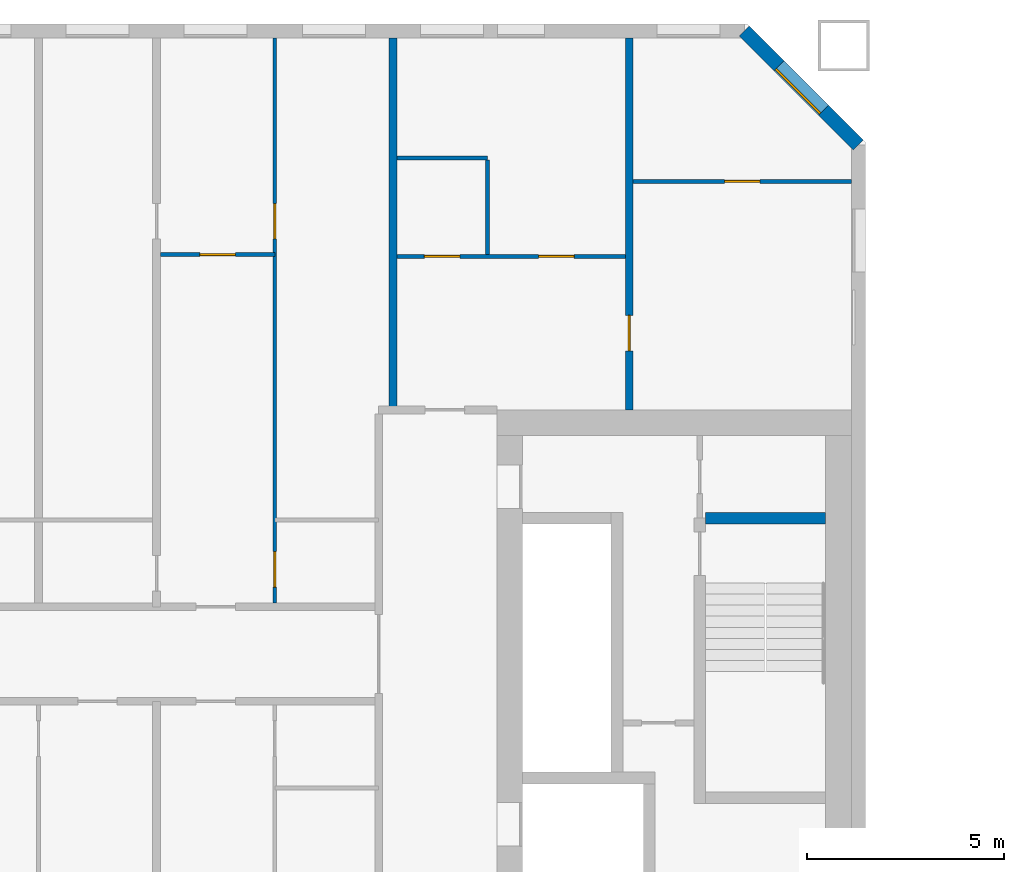
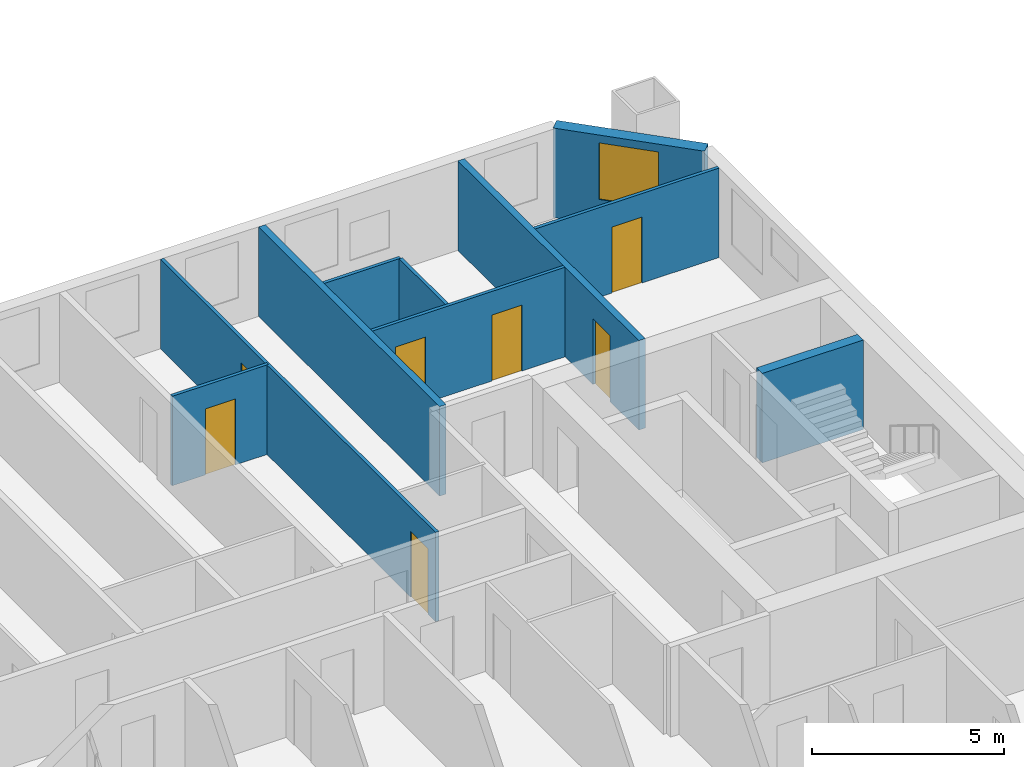
# One storey, part 8 of 17: 10 walls, 7 doors, 1 window, 8 openings.
"""IFC4 building model written with IfcOpenShell, lengths in metres."""

from ifc_helpers import new_model, si_unit, direction, frame, frame_2d, origin, place, context, subcontext, project, spatial, rectangle, extrude, material, layer, layer_set, type_object, element, fill, save


model = new_model("IFC4")

# Units and contexts
model_context = context("Model", 3, precision=1e-05, world=origin(), true_north=direction((0.0, 1.0)))
body_context = subcontext(model_context, "Body", "Model", "MODEL_VIEW")
ifc_project = project(units=[si_unit("LENGTHUNIT", "METRE"), si_unit("AREAUNIT", "SQUARE_METRE"), si_unit("VOLUMEUNIT", "CUBIC_METRE"), si_unit("PLANEANGLEUNIT", "RADIAN"), si_unit("MASSUNIT", "GRAM", prefix="KILO")], contexts=[model_context])

# Site, building, storey
site_placement = place(None, origin())
site = spatial("IfcSite", under=ifc_project, at=site_placement, CompositionType="ELEMENT")
building_placement = place(site_placement, origin())
building = spatial("IfcBuilding", under=site, at=building_placement, Name="Tuart Gate Housing", CompositionType="ELEMENT")
storey_placement = place(building_placement, frame((0.0, 0.0, 99.5)))
storey = spatial("IfcBuildingStorey", under=building, at=storey_placement, Name="L27", CompositionType="ELEMENT", Elevation=99.5)

# Wall, opening, window
ifc_material_1 = material(Name="Brick", Category="masonry")
ifc_layer_1 = layer(ifc_material_1, 0.360107421875)
ifc_layer_set_1 = layer_set([ifc_layer_1], Name="Brick pier and spandrel wall 360")
wall_type_1 = type_object("IfcWallType", Name="Brick pier and spandrel wall 360", PredefinedType="STANDARD", material=ifc_layer_set_1)
wall_1_placement = place(storey_placement, frame((75.820068359375, 82.92529296875, 0.0), z_axis=(0.0, 0.0, 1.0), x_axis=(-0.707106781187, 0.707106781187, 0.0)))
wall_1 = element("IfcWall", 1, at=wall_1_placement, inside=storey, type_object=wall_type_1, Name="External wall A-NE L27", PredefinedType="STANDARD", context=body_context, shape_type="SweptSolid", body=[
    extrude(rectangle(XDim=4.09375, YDim=0.360107421875, at=frame_2d((2.046875, 0.0))), origin(), (0.0, 0.0, 1.0), 2.85009765625),
])
opening_1_placement = place(wall_1_placement, frame((1.2470703125, 0.0, 0.800048828125)))
opening_1 = element("IfcOpeningElement", 2, at=opening_1_placement, cuts=wall_1, Name="Opening W1", PredefinedType="OPENING", context=body_context, shape_type="SweptSolid", body=[
    extrude(rectangle(XDim=1.60009765625, YDim=1.800048828125, at=frame_2d((0.800048828125, 0.89990234375))), frame((0.0, 0.18994140625, 0.0), z_axis=(0.0, -1.0, 0.0), x_axis=(1.0, 0.0, 0.0)), (0.0, 0.0, 1.0), 0.380126953125),
])
ifc_material_2 = material(Name="Aluminium frame with clear glass", Category="aluminium")
window_type = type_object("IfcWindowType", Name="Punched window 1600 x 1800", PartitioningType="SINGLE_PANEL", PredefinedType="WINDOW", material=ifc_material_2)
window_placement = place(opening_1_placement, origin())
window = element("IfcWindow", 3, at=window_placement, inside=storey, type_object=window_type, Name="Window W1", OverallHeight=1.800048828125, OverallWidth=1.60009765625, PartitioningType="SINGLE_PANEL", PredefinedType="WINDOW", context=body_context, shape_type="SweptSolid", body=[
    extrude(rectangle(XDim=1.60009765625, YDim=1.800048828125, at=frame_2d((0.800048828125, 0.89990234375))), frame((0.0, 0.150146484375, 0.0), z_axis=(0.0, -1.0, 0.0), x_axis=(1.0, 0.0, 0.0)), (0.0, 0.0, 1.0), 0.06005859375),
])
fill(opening_1, window)

# Wall
ifc_material_3 = material(Name="Concrete C50", Category="concrete")
ifc_layer_2 = layer(ifc_material_3, 0.300048828125)
ifc_layer_set_2 = layer_set([ifc_layer_2], Name="Core wall 300 C50")
wall_type_2 = type_object("IfcWallType", Name="Core wall 300 C50", PredefinedType="SHEAR", material=ifc_layer_set_2)
wall_2_placement = place(storey_placement, frame((71.93994140625, 73.449951171875, 0.0), z_axis=(0.0, 0.0, 1.0), x_axis=(1.0, 0.0, 0.0)))
element("IfcWall", 4, at=wall_2_placement, inside=storey, type_object=wall_type_2, Name="Core wall AG.5", PredefinedType="SHEAR", context=body_context, shape_type="SweptSolid", body=[
    extrude(rectangle(XDim=3.050048828125, YDim=0.300048828125, at=frame_2d((1.52490234375, 0.0))), origin(), (0.0, 0.0, 1.0), 2.85009765625),
])

# Wall, openings, doors
ifc_material_4 = material(Name="Gypsum board on steel studs", Category="steel")
ifc_layer_3 = layer(ifc_material_4, 0.10009765625)
ifc_layer_set_3 = layer_set([ifc_layer_3], Name="Partition 100")
wall_type_3 = type_object("IfcWallType", Name="Partition 100", PredefinedType="PARTITIONING", material=ifc_layer_set_3)
wall_3_placement = place(storey_placement, frame((64.10009765625, 80.10009765625, 0.0), z_axis=(0.0, 0.0, 1.0), x_axis=(1.0, 0.0, 0.0)))
wall_3 = element("IfcWall", 5, at=wall_3_placement, inside=storey, type_object=wall_type_3, Name="Partition 100", PredefinedType="PARTITIONING", context=body_context, shape_type="SweptSolid", body=[
    extrude(rectangle(XDim=5.7998046875, YDim=0.10009765625, at=frame_2d((2.89990234375, 0.0))), origin(), (0.0, 0.0, 1.0), 2.85009765625),
])
opening_2_placement = place(wall_3_placement, frame((3.60009765625, 0.0, 0.0)))
opening_2 = element("IfcOpeningElement", 6, at=opening_2_placement, cuts=wall_3, Name="Opening D1073", PredefinedType="OPENING", context=body_context, shape_type="SweptSolid", body=[
    extrude(rectangle(XDim=0.89990234375, YDim=2.10009765625, at=frame_2d((0.449951171875, 1.050048828125))), frame((0.0, 0.06005859375, 0.0), z_axis=(0.0, -1.0, 0.0), x_axis=(1.0, 0.0, 0.0)), (0.0, 0.0, 1.0), 0.1201171875),
])
opening_3_placement = place(wall_3_placement, frame((0.699951171875, 0.0, 0.0)))
opening_3 = element("IfcOpeningElement", 7, at=opening_3_placement, cuts=wall_3, Name="Opening D1072", PredefinedType="OPENING", context=body_context, shape_type="SweptSolid", body=[
    extrude(rectangle(XDim=0.89990234375, YDim=2.10009765625, at=frame_2d((0.449951171875, 1.050048828125))), frame((0.0, 0.06005859375, 0.0), z_axis=(0.0, -1.0, 0.0), x_axis=(1.0, 0.0, 0.0)), (0.0, 0.0, 1.0), 0.1201171875),
])
ifc_material_5 = material(Name="Timber door leaf in steel frame", Category="steel")
door_type_1 = type_object("IfcDoorType", Name="Bathroom door 900 RH", OperationType="SINGLE_SWING_RIGHT", PredefinedType="DOOR", material=ifc_material_5)
door_1_placement = place(opening_3_placement, origin())
door_1 = element("IfcDoor", 8, at=door_1_placement, inside=storey, type_object=door_type_1, Name="Bathroom door", OperationType="SINGLE_SWING_RIGHT", OverallHeight=2.10009765625, OverallWidth=0.89990234375, PredefinedType="DOOR", context=body_context, shape_type="SweptSolid", body=[
    extrude(rectangle(XDim=0.89990234375, YDim=2.10009765625, at=frame_2d((0.449951171875, 1.050048828125))), frame((0.0, 0.02490234375, 0.0), z_axis=(0.0, -1.0, 0.0), x_axis=(1.0, 0.0, 0.0)), (0.0, 0.0, 1.0), 0.050048828125),
])
fill(opening_3, door_1)
ifc_material_6 = material(Name="Timber door leaf in steel frame", Category="steel")
door_type_2 = type_object("IfcDoorType", Name="Internal door 900", OperationType="SINGLE_SWING_LEFT", PredefinedType="DOOR", material=ifc_material_6)
door_2_placement = place(opening_2_placement, origin())
door_2 = element("IfcDoor", 9, at=door_2_placement, inside=storey, type_object=door_type_2, Name="Internal door", OperationType="SINGLE_SWING_LEFT", OverallHeight=2.10009765625, OverallWidth=0.89990234375, PredefinedType="DOOR", context=body_context, shape_type="SweptSolid", body=[
    extrude(rectangle(XDim=0.89990234375, YDim=2.10009765625, at=frame_2d((0.449951171875, 1.050048828125))), frame((0.0, 0.02490234375, 0.0), z_axis=(0.0, -1.0, 0.0), x_axis=(1.0, 0.0, 0.0)), (0.0, 0.0, 1.0), 0.050048828125),
])
fill(opening_2, door_2)

# Wall, opening, door
wall_4_placement = place(storey_placement, frame((58.10009765625, 80.139892578125, 0.0), z_axis=(0.0, 0.0, 1.0), x_axis=(1.0, 0.0, 0.0)))
wall_4 = element("IfcWall", 10, at=wall_4_placement, inside=storey, type_object=wall_type_3, Name="Partition 100", PredefinedType="PARTITIONING", context=body_context, shape_type="SweptSolid", body=[
    extrude(rectangle(XDim=2.89990234375, YDim=0.10009765625, at=frame_2d((1.449951171875, 0.0))), origin(), (0.0, 0.0, 1.0), 2.85009765625),
])
opening_4_placement = place(wall_4_placement, frame((1.0, 0.0, 0.0)))
opening_4 = element("IfcOpeningElement", 11, at=opening_4_placement, cuts=wall_4, Name="Opening D1068", PredefinedType="OPENING", context=body_context, shape_type="SweptSolid", body=[
    extrude(rectangle(XDim=0.89990234375, YDim=2.10009765625, at=frame_2d((0.449951171875, 1.050048828125))), frame((0.0, 0.06005859375, 0.0), z_axis=(0.0, -1.0, 0.0), x_axis=(1.0, 0.0, 0.0)), (0.0, 0.0, 1.0), 0.1201171875),
])
door_3_placement = place(opening_4_placement, frame((0.89990234375, 0.0, 0.0), z_axis=(0.0, 0.0, 1.0), x_axis=(-1.0, 0.0, 0.0)))
door_3 = element("IfcDoor", 12, at=door_3_placement, inside=storey, type_object=door_type_2, Name="Internal door", OperationType="SINGLE_SWING_LEFT", OverallHeight=2.10009765625, OverallWidth=0.89990234375, PredefinedType="DOOR", context=body_context, shape_type="SweptSolid", body=[
    extrude(rectangle(XDim=0.89990234375, YDim=2.10009765625, at=frame_2d((0.449951171875, 1.050048828125))), frame((0.0, 0.025146484375, 0.0), z_axis=(0.0, -1.0, 0.0), x_axis=(1.0, 0.0, 0.0)), (0.0, 0.0, 1.0), 0.050048828125),
])
fill(opening_4, door_3)

wall_5_placement = place(storey_placement, frame((70.10009765625, 82.0, 0.0), z_axis=(0.0, 0.0, 1.0), x_axis=(1.0, 0.0, 0.0)))
wall_5 = element("IfcWall", 13, at=wall_5_placement, inside=storey, type_object=wall_type_3, Name="Partition 100", PredefinedType="PARTITIONING", context=body_context, shape_type="SweptSolid", body=[
    extrude(rectangle(XDim=5.539794921875, YDim=0.10009765625, at=frame_2d((2.77001953125, 0.0))), origin(), (0.0, 0.0, 1.0), 2.85009765625),
])
opening_5_placement = place(wall_5_placement, frame((2.320068359375, 0.0, 0.0)))
opening_5 = element("IfcOpeningElement", 14, at=opening_5_placement, cuts=wall_5, Name="Opening D1066", PredefinedType="OPENING", context=body_context, shape_type="SweptSolid", body=[
    extrude(rectangle(XDim=0.89990234375, YDim=2.10009765625, at=frame_2d((0.449951171875, 1.050048828125))), frame((0.0, 0.06005859375, 0.0), z_axis=(0.0, -1.0, 0.0), x_axis=(1.0, 0.0, 0.0)), (0.0, 0.0, 1.0), 0.1201171875),
])
ifc_material_7 = material(Name="Timber door leaf in steel frame", Category="steel")
door_type_3 = type_object("IfcDoorType", Name="Internal door 900 RH", OperationType="SINGLE_SWING_RIGHT", PredefinedType="DOOR", material=ifc_material_7)
door_4_placement = place(opening_5_placement, origin())
door_4 = element("IfcDoor", 15, at=door_4_placement, inside=storey, type_object=door_type_3, Name="Internal door", OperationType="SINGLE_SWING_RIGHT", OverallHeight=2.10009765625, OverallWidth=0.89990234375, PredefinedType="DOOR", context=body_context, shape_type="SweptSolid", body=[
    extrude(rectangle(XDim=0.89990234375, YDim=2.10009765625, at=frame_2d((0.449951171875, 1.050048828125))), frame((0.0, 0.02490234375, 0.0), z_axis=(0.0, -1.0, 0.0), x_axis=(1.0, 0.0, 0.0)), (0.0, 0.0, 1.0), 0.050048828125),
])
fill(opening_5, door_4)

# Wall
wall_6_placement = place(storey_placement, frame((64.10009765625, 82.60009765625, 0.0), z_axis=(0.0, 0.0, 1.0), x_axis=(1.0, 0.0, 0.0)))
element("IfcWall", 16, at=wall_6_placement, inside=storey, type_object=wall_type_3, Name="Partition 100", PredefinedType="PARTITIONING", context=body_context, shape_type="SweptSolid", body=[
    extrude(rectangle(XDim=2.2998046875, YDim=0.10009765625, at=frame_2d((1.14990234375, 0.0))), origin(), (0.0, 0.0, 1.0), 2.85009765625),
])

# Wall, openings, doors
wall_7_placement = place(storey_placement, frame((61.0, 71.300048828125, 0.0), z_axis=(0.0, 0.0, 1.0), x_axis=(0.0, 1.0, 0.0)))
wall_7 = element("IfcWall", 17, at=wall_7_placement, inside=storey, type_object=wall_type_3, Name="Partition 100", PredefinedType="PARTITIONING", context=body_context, shape_type="SweptSolid", body=[
    extrude(rectangle(XDim=14.33984375, YDim=0.10009765625, at=frame_2d((7.169921875, 0.0))), origin(), (0.0, 0.0, 1.0), 2.85009765625),
])
opening_6_placement = place(wall_7_placement, frame((9.239990234375, 0.0, 0.0)))
opening_6 = element("IfcOpeningElement", 18, at=opening_6_placement, cuts=wall_7, Name="Opening D1081", PredefinedType="OPENING", context=body_context, shape_type="SweptSolid", body=[
    extrude(rectangle(XDim=0.89990234375, YDim=2.10009765625, at=frame_2d((0.449951171875, 1.050048828125))), frame((0.0, 0.06005859375, 0.0), z_axis=(0.0, -1.0, 0.0), x_axis=(1.0, 0.0, 0.0)), (0.0, 0.0, 1.0), 0.1201171875),
])
opening_7_placement = place(wall_7_placement, frame((0.39990234375, 0.0, 0.0)))
opening_7 = element("IfcOpeningElement", 19, at=opening_7_placement, cuts=wall_7, Name="Opening D1080", PredefinedType="OPENING", context=body_context, shape_type="SweptSolid", body=[
    extrude(rectangle(XDim=0.89990234375, YDim=2.10009765625, at=frame_2d((0.449951171875, 1.050048828125))), frame((0.0, 0.06005859375, 0.0), z_axis=(0.0, -1.0, 0.0), x_axis=(1.0, 0.0, 0.0)), (0.0, 0.0, 1.0), 0.1201171875),
])
door_5_placement = place(opening_7_placement, frame((0.89990234375, 0.0, 0.0), z_axis=(0.0, 0.0, 1.0), x_axis=(-1.0, 0.0, 0.0)))
door_5 = element("IfcDoor", 20, at=door_5_placement, inside=storey, type_object=door_type_1, Name="Bathroom door", OperationType="SINGLE_SWING_RIGHT", OverallHeight=2.10009765625, OverallWidth=0.89990234375, PredefinedType="DOOR", context=body_context, shape_type="SweptSolid", body=[
    extrude(rectangle(XDim=0.89990234375, YDim=2.10009765625, at=frame_2d((0.449951171875, 1.050048828125))), frame((0.0, 0.025146484375, 0.0), z_axis=(0.0, -1.0, 0.0), x_axis=(1.0, 0.0, 0.0)), (0.0, 0.0, 1.0), 0.050048828125),
])
fill(opening_7, door_5)
door_6_placement = place(opening_6_placement, frame((0.89990234375, 0.0, 0.0), z_axis=(0.0, 0.0, 1.0), x_axis=(-1.0, 0.0, 0.0)))
door_6 = element("IfcDoor", 21, at=door_6_placement, inside=storey, type_object=door_type_2, Name="Internal door", OperationType="SINGLE_SWING_LEFT", OverallHeight=2.10009765625, OverallWidth=0.89990234375, PredefinedType="DOOR", context=body_context, shape_type="SweptSolid", body=[
    extrude(rectangle(XDim=0.89990234375, YDim=2.10009765625, at=frame_2d((0.449951171875, 1.050048828125))), frame((0.0, 0.025146484375, 0.0), z_axis=(0.0, -1.0, 0.0), x_axis=(1.0, 0.0, 0.0)), (0.0, 0.0, 1.0), 0.050048828125),
])
fill(opening_6, door_6)

# Walls
wall_8_placement = place(storey_placement, frame((66.39990234375, 80.14990234375, 0.0), z_axis=(0.0, 0.0, 1.0), x_axis=(0.0, 1.0, 0.0)))
element("IfcWall", 22, at=wall_8_placement, inside=storey, type_object=wall_type_3, Name="Partition 100", PredefinedType="PARTITIONING", context=body_context, shape_type="SweptSolid", body=[
    extrude(rectangle(XDim=2.400146484375, YDim=0.10009765625, at=frame_2d((1.2001953125, 0.0))), origin(), (0.0, 0.0, 1.0), 2.85009765625),
])
ifc_material_8 = material(Name="Concrete C40", Category="concrete")
ifc_layer_4 = layer(ifc_material_8, 0.199951171875)
ifc_layer_set_4 = layer_set([ifc_layer_4], Name="Party wall concrete C40 200")
wall_type_4 = type_object("IfcWallType", Name="Party wall concrete C40 200", PredefinedType="SOLIDWALL", material=ifc_layer_set_4)
wall_9_placement = place(storey_placement, frame((64.0, 76.199951171875, 0.0), z_axis=(0.0, 0.0, 1.0), x_axis=(0.0, 1.0, 0.0)))
element("IfcWall", 23, at=wall_9_placement, inside=storey, type_object=wall_type_4, Name="Party wall concrete C40 200", PredefinedType="SOLIDWALL", context=body_context, shape_type="SweptSolid", body=[
    extrude(rectangle(XDim=9.43994140625, YDim=0.199951171875, at=frame_2d((4.719970703125, 0.0))), origin(), (0.0, 0.0, 1.0), 2.85009765625),
])

# Wall, opening, door
wall_10_placement = place(storey_placement, frame((70.0, 76.199951171875, 0.0), z_axis=(0.0, 0.0, 1.0), x_axis=(0.0, 1.0, 0.0)))
wall_10 = element("IfcWall", 24, at=wall_10_placement, inside=storey, type_object=wall_type_4, Name="Party wall concrete C40 200", PredefinedType="SOLIDWALL", context=body_context, shape_type="SweptSolid", body=[
    extrude(rectangle(XDim=9.43994140625, YDim=0.199951171875, at=frame_2d((4.719970703125, 0.0))), origin(), (0.0, 0.0, 1.0), 2.85009765625),
])
opening_8_placement = place(wall_10_placement, frame((1.5, 0.0, 0.0)))
opening_8 = element("IfcOpeningElement", 25, at=opening_8_placement, cuts=wall_10, Name="Opening D1067", PredefinedType="OPENING", context=body_context, shape_type="SweptSolid", body=[
    extrude(rectangle(XDim=0.89990234375, YDim=2.10009765625, at=frame_2d((0.449951171875, 1.050048828125))), frame((0.0, 0.10986328125, 0.0), z_axis=(0.0, -1.0, 0.0), x_axis=(1.0, 0.0, 0.0)), (0.0, 0.0, 1.0), 0.219970703125),
])
door_7_placement = place(opening_8_placement, origin())
door_7 = element("IfcDoor", 26, at=door_7_placement, inside=storey, type_object=door_type_2, Name="Internal door", OperationType="SINGLE_SWING_LEFT", OverallHeight=2.10009765625, OverallWidth=0.89990234375, PredefinedType="DOOR", context=body_context, shape_type="SweptSolid", body=[
    extrude(rectangle(XDim=0.89990234375, YDim=2.10009765625, at=frame_2d((0.449951171875, 1.050048828125))), frame((0.0, 0.02490234375, 0.0), z_axis=(0.0, -1.0, 0.0), x_axis=(1.0, 0.0, 0.0)), (0.0, 0.0, 1.0), 0.050048828125),
])
fill(opening_8, door_7)

save(model, "model.ifc")
